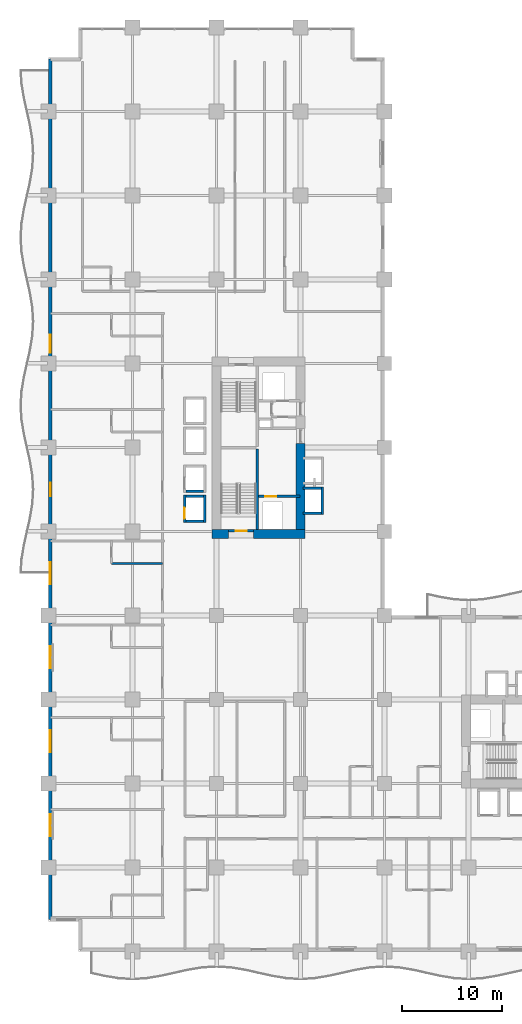
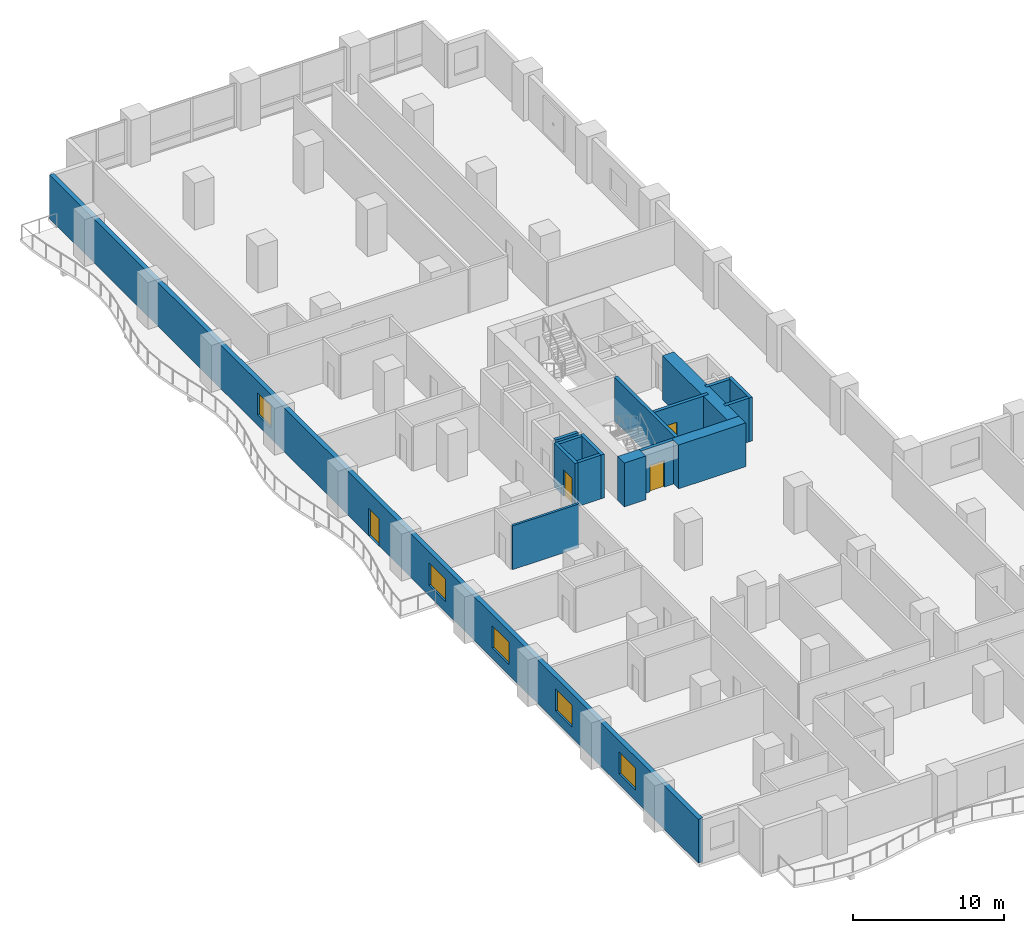
# One storey, part 12 of 24: 16 walls, 5 windows, 4 doors, 9 openings.
"""IFC4 building model written with IfcOpenShell, lengths in metres."""

from ifc_helpers import new_model, si_unit, direction, frame, frame_2d, origin, place, context, subcontext, project, spatial, rectangle, extrude, material, layer, layer_set, type_object, element, fill, save


model = new_model("IFC4")

# Units and contexts
model_context = context("Model", 3, precision=1e-05, world=origin(), true_north=direction((0.0, 1.0)))
body_context = subcontext(model_context, "Body", "Model", "MODEL_VIEW")
ifc_project = project(units=[si_unit("LENGTHUNIT", "METRE"), si_unit("AREAUNIT", "SQUARE_METRE"), si_unit("VOLUMEUNIT", "CUBIC_METRE"), si_unit("PLANEANGLEUNIT", "RADIAN"), si_unit("MASSUNIT", "GRAM", prefix="KILO")], contexts=[model_context])

# Site, building, storey
site_placement = place(None, origin())
site = spatial("IfcSite", under=ifc_project, at=site_placement, CompositionType="ELEMENT")
building_placement = place(site_placement, origin())
building = spatial("IfcBuilding", under=site, at=building_placement, Name="Koriwani Terraces Tower", CompositionType="ELEMENT")
storey_placement = place(building_placement, frame((0.0, 0.0, 47.199951171875)))
storey = spatial("IfcBuildingStorey", under=building, at=storey_placement, Name="L10", CompositionType="ELEMENT", Elevation=47.199951171875)

# Walls
ifc_material_1 = material(Name="Concrete C60/75", Category="concrete")
ifc_layer_1 = layer(ifc_material_1, 0.89990234375, Name="Concrete C60/75")
ifc_layer_set_1 = layer_set([ifc_layer_1], Name="Concrete C60/75")
wall_type_1 = type_object("IfcWallType", Name="WALL_CORE_RC_900", PredefinedType="SHEAR", material=ifc_layer_set_1)
wall_1_placement = place(storey_placement, frame((16.35009765625, 41.75, 0.0), z_axis=(0.0, 0.0, 1.0), x_axis=(1.0, 0.0, 0.0)))
element("IfcWall", 1, at=wall_1_placement, inside=storey, type_object=wall_type_1, Name="L10 West Split Core Shear Wall S1", PredefinedType="SHEAR", context=body_context, shape_type="SweptSolid", body=[
    extrude(rectangle(XDim=1.64990234375, YDim=0.89990234375, at=frame_2d((0.824951171875, 0.0))), origin(), (0.0, 0.0, 1.0), 3.550048828125),
])
wall_2_placement = place(storey_placement, frame((20.5, 41.75, 0.0), z_axis=(0.0, 0.0, 1.0), x_axis=(1.0, 0.0, 0.0)))
element("IfcWall", 2, at=wall_2_placement, inside=storey, type_object=wall_type_1, Name="L10 West Split Core Shear Wall S2", PredefinedType="SHEAR", context=body_context, shape_type="SweptSolid", body=[
    extrude(rectangle(XDim=5.14990234375, YDim=0.89990234375, at=frame_2d((2.574951171875, 0.0))), origin(), (0.0, 0.0, 1.0), 3.550048828125),
])
wall_3_placement = place(storey_placement, frame((25.199951171875, 42.199951171875, 0.0), z_axis=(0.0, 0.0, 1.0), x_axis=(0.0, 1.0, 0.0)))
element("IfcWall", 3, at=wall_3_placement, inside=storey, type_object=wall_type_1, Name="L10 West Split Core Shear Wall E1", PredefinedType="SHEAR", context=body_context, shape_type="SweptSolid", body=[
    extrude(rectangle(XDim=8.60009765625, YDim=0.89990234375, at=frame_2d((4.300048828125, 0.0))), origin(), (0.0, 0.0, 1.0), 3.550048828125),
])

# Wall, openings, door, windows
ifc_material_2 = material(Name="Concrete C50/60", Category="concrete")
ifc_layer_2 = layer(ifc_material_2, 0.35009765625, Name="Concrete C50/60")
ifc_layer_set_2 = layer_set([ifc_layer_2], Name="Concrete C50/60")
wall_type_2 = type_object("IfcWallType", Name="WALL_EXT_BRUTALIST_350", PredefinedType="STANDARD", material=ifc_layer_set_2)
wall_4_placement = place(storey_placement, frame((0.175048828125, 3.175048828125, 0.0), z_axis=(0.0, 0.0, 1.0), x_axis=(0.0, 1.0, 0.0)))
wall_4 = element("IfcWall", 4, at=wall_4_placement, inside=storey, type_object=wall_type_2, Name="L10 Fair-Faced Brutalist Exterior Wall (W)", PredefinedType="STANDARD", context=body_context, shape_type="SweptSolid", body=[
    extrude(rectangle(XDim=86.050048828125, YDim=0.35009765625, at=frame_2d((43.02490234375, 0.0))), origin(), (0.0, 0.0, 1.0), 3.550048828125),
])
opening_1_placement = place(wall_4_placement, frame((42.324951171875, 0.0, 0.0)))
opening_1 = element("IfcOpeningElement", 5, at=opening_1_placement, cuts=wall_4, Name="Opening D-09", PredefinedType="OPENING", context=body_context, shape_type="SweptSolid", body=[
    extrude(rectangle(XDim=1.39990234375, YDim=2.199951171875, at=frame_2d((0.699951171875, 1.10009765625))), frame((0.0, 0.18505859375, 0.0), z_axis=(0.0, -1.0, 0.0), x_axis=(1.0, 0.0, 0.0)), (0.0, 0.0, 1.0), 0.3701171875),
])
opening_2_placement = place(wall_4_placement, frame((8.324951171875, 0.0, 0.85009765625)))
opening_2 = element("IfcOpeningElement", 6, at=opening_2_placement, cuts=wall_4, Name="Opening W-01", PredefinedType="OPENING", context=body_context, shape_type="SweptSolid", body=[
    extrude(rectangle(XDim=2.199951171875, YDim=1.800048828125, at=frame_2d((1.10009765625, 0.89990234375))), frame((0.0, 0.18505859375, 0.0), z_axis=(0.0, -1.0, 0.0), x_axis=(1.0, 0.0, 0.0)), (0.0, 0.0, 1.0), 0.3701171875),
])
opening_3_placement = place(wall_4_placement, frame((16.72509765625, 0.0, 0.85009765625)))
opening_3 = element("IfcOpeningElement", 7, at=opening_3_placement, cuts=wall_4, Name="Opening W-01", PredefinedType="OPENING", context=body_context, shape_type="SweptSolid", body=[
    extrude(rectangle(XDim=2.199951171875, YDim=1.800048828125, at=frame_2d((1.10009765625, 0.89990234375))), frame((0.0, 0.18505859375, 0.0), z_axis=(0.0, -1.0, 0.0), x_axis=(1.0, 0.0, 0.0)), (0.0, 0.0, 1.0), 0.3701171875),
])
opening_4_placement = place(wall_4_placement, frame((25.125, 0.0, 0.85009765625)))
opening_4 = element("IfcOpeningElement", 8, at=opening_4_placement, cuts=wall_4, Name="Opening W-01", PredefinedType="OPENING", context=body_context, shape_type="SweptSolid", body=[
    extrude(rectangle(XDim=2.199951171875, YDim=1.800048828125, at=frame_2d((1.10009765625, 0.89990234375))), frame((0.0, 0.18505859375, 0.0), z_axis=(0.0, -1.0, 0.0), x_axis=(1.0, 0.0, 0.0)), (0.0, 0.0, 1.0), 0.3701171875),
])
opening_5_placement = place(wall_4_placement, frame((33.52490234375, 0.0, 0.85009765625)))
opening_5 = element("IfcOpeningElement", 9, at=opening_5_placement, cuts=wall_4, Name="Opening W-01", PredefinedType="OPENING", context=body_context, shape_type="SweptSolid", body=[
    extrude(rectangle(XDim=2.199951171875, YDim=1.800048828125, at=frame_2d((1.10009765625, 0.89990234375))), frame((0.0, 0.18505859375, 0.0), z_axis=(0.0, -1.0, 0.0), x_axis=(1.0, 0.0, 0.0)), (0.0, 0.0, 1.0), 0.3701171875),
])
opening_6_placement = place(wall_4_placement, frame((56.675048828125, 0.0, 0.85009765625)))
opening_6 = element("IfcOpeningElement", 10, at=opening_6_placement, cuts=wall_4, Name="Opening W-04", PredefinedType="OPENING", context=body_context, shape_type="SweptSolid", body=[
    extrude(rectangle(XDim=1.800048828125, YDim=1.800048828125, at=frame_2d((0.89990234375, 0.89990234375))), frame((0.0, 0.18505859375, 0.0), z_axis=(0.0, -1.0, 0.0), x_axis=(1.0, 0.0, 0.0)), (0.0, 0.0, 1.0), 0.3701171875),
])
ifc_material_3 = material(Name="Anodised Bronze Aluminium", Category="aluminium")
door_type_1 = type_object("IfcDoorType", Name="DOOR_BALCONY_GLAZED_1400X2200", OperationType="NOTDEFINED", PredefinedType="DOOR", material=ifc_material_3)
door_1_placement = place(opening_1_placement, origin())
door_1 = element("IfcDoor", 11, at=door_1_placement, inside=storey, type_object=door_type_1, Name="L10 West Balcony Glazed Door", OperationType="SINGLE_SWING_LEFT", OverallHeight=2.199951171875, OverallWidth=1.39990234375, PredefinedType="DOOR", context=body_context, shape_type="SweptSolid", body=[
    extrude(rectangle(XDim=1.39990234375, YDim=2.199951171875, at=frame_2d((0.699951171875, 1.10009765625))), frame((0.0, 0.02490234375, 0.0), z_axis=(0.0, -1.0, 0.0), x_axis=(1.0, 0.0, 0.0)), (0.0, 0.0, 1.0), 0.050048828125),
])
fill(opening_1, door_1)
ifc_material_4 = material(Name="Tempered Laminated Low-E Glass", Category="glass")
window_type_1 = type_object("IfcWindowType", Name="WIN_HOTEL_STD_2200X1800", PartitioningType="DOUBLE_PANEL_VERTICAL", PredefinedType="WINDOW", material=ifc_material_4)
window_1_placement = place(opening_2_placement, origin())
window_1 = element("IfcWindow", 12, at=window_1_placement, inside=storey, type_object=window_type_1, Name="L10 Exterior Window (W-3)", OverallHeight=1.800048828125, OverallWidth=2.199951171875, PartitioningType="SINGLE_PANEL", PredefinedType="WINDOW", context=body_context, shape_type="SweptSolid", body=[
    extrude(rectangle(XDim=2.199951171875, YDim=1.800048828125, at=frame_2d((1.10009765625, 0.89990234375))), frame((0.0, 0.030029296875, 0.0), z_axis=(0.0, -1.0, 0.0), x_axis=(1.0, 0.0, 0.0)), (0.0, 0.0, 1.0), 0.06005859375),
])
fill(opening_2, window_1)
window_2_placement = place(opening_3_placement, origin())
window_2 = element("IfcWindow", 13, at=window_2_placement, inside=storey, type_object=window_type_1, Name="L10 Exterior Window (W-6)", OverallHeight=1.800048828125, OverallWidth=2.199951171875, PartitioningType="SINGLE_PANEL", PredefinedType="WINDOW", context=body_context, shape_type="SweptSolid", body=[
    extrude(rectangle(XDim=2.199951171875, YDim=1.800048828125, at=frame_2d((1.10009765625, 0.89990234375))), frame((0.0, 0.030029296875, 0.0), z_axis=(0.0, -1.0, 0.0), x_axis=(1.0, 0.0, 0.0)), (0.0, 0.0, 1.0), 0.06005859375),
])
fill(opening_3, window_2)
window_3_placement = place(opening_4_placement, origin())
window_3 = element("IfcWindow", 14, at=window_3_placement, inside=storey, type_object=window_type_1, Name="L10 Exterior Window (W-9)", OverallHeight=1.800048828125, OverallWidth=2.199951171875, PartitioningType="SINGLE_PANEL", PredefinedType="WINDOW", context=body_context, shape_type="SweptSolid", body=[
    extrude(rectangle(XDim=2.199951171875, YDim=1.800048828125, at=frame_2d((1.10009765625, 0.89990234375))), frame((0.0, 0.030029296875, 0.0), z_axis=(0.0, -1.0, 0.0), x_axis=(1.0, 0.0, 0.0)), (0.0, 0.0, 1.0), 0.06005859375),
])
fill(opening_4, window_3)
window_4_placement = place(opening_5_placement, origin())
window_4 = element("IfcWindow", 15, at=window_4_placement, inside=storey, type_object=window_type_1, Name="L10 Exterior Window (W-12)", OverallHeight=1.800048828125, OverallWidth=2.199951171875, PartitioningType="SINGLE_PANEL", PredefinedType="WINDOW", context=body_context, shape_type="SweptSolid", body=[
    extrude(rectangle(XDim=2.199951171875, YDim=1.800048828125, at=frame_2d((1.10009765625, 0.89990234375))), frame((0.0, 0.030029296875, 0.0), z_axis=(0.0, -1.0, 0.0), x_axis=(1.0, 0.0, 0.0)), (0.0, 0.0, 1.0), 0.06005859375),
])
fill(opening_5, window_4)
window_type_2 = type_object("IfcWindowType", Name="WIN_RES_BED_1800X1800", PartitioningType="DOUBLE_PANEL_VERTICAL", PredefinedType="WINDOW", material=ifc_material_4)
window_5_placement = place(opening_6_placement, origin())
window_5 = element("IfcWindow", 16, at=window_5_placement, inside=storey, type_object=window_type_2, Name="L10 Exterior Window (W-R47)", OverallHeight=1.800048828125, OverallWidth=1.800048828125, PartitioningType="SINGLE_PANEL", PredefinedType="WINDOW", context=body_context, shape_type="SweptSolid", body=[
    extrude(rectangle(XDim=1.800048828125, YDim=1.800048828125, at=frame_2d((0.89990234375, 0.89990234375))), frame((0.0, 0.030029296875, 0.0), z_axis=(0.0, -1.0, 0.0), x_axis=(1.0, 0.0, 0.0)), (0.0, 0.0, 1.0), 0.06005859375),
])
fill(opening_6, window_5)

# Walls
ifc_material_5 = material(Name="Fire-Rated Acoustic Gypsum Partition", Category="masonry")
ifc_layer_3 = layer(ifc_material_5, 0.179931640625, Name="Fire-Rated Acoustic Gypsum Partition")
ifc_layer_set_3 = layer_set([ifc_layer_3], Name="Fire-Rated Acoustic Gypsum Partition")
wall_type_3 = type_object("IfcWallType", Name="WALL_PLUMBING_180", PredefinedType="PLUMBINGWALL", material=ifc_layer_set_3)
wall_5_placement = place(storey_placement, frame((6.300048828125, 38.800048828125, 0.0), z_axis=(0.0, 0.0, 1.0), x_axis=(1.0, 0.0, 0.0)))
element("IfcWall", 17, at=wall_5_placement, inside=storey, type_object=wall_type_3, Name="L10 Interior Wall WBTH2-L10-NW-3", PredefinedType="PLUMBINGWALL", context=body_context, shape_type="SweptSolid", body=[
    extrude(rectangle(XDim=5.099853515625, YDim=0.179931640625, at=frame_2d((2.5498046875, 0.0))), origin(), (0.0, 0.0, 1.0), 3.550048828125),
])
ifc_material_6 = material(Name="Concrete C40/50", Category="concrete")
ifc_layer_4 = layer(ifc_material_6, 0.25, Name="Concrete C40/50")
ifc_layer_set_4 = layer_set([ifc_layer_4], Name="Concrete C40/50")
wall_type_4 = type_object("IfcWallType", Name="WALL_SHAFT_RATED_250", PredefinedType="SOLIDWALL", material=ifc_layer_set_4)
wall_6_placement = place(storey_placement, frame((20.875, 42.199951171875, 0.0), z_axis=(0.0, 0.0, 1.0), x_axis=(0.0, 1.0, 0.0)))
element("IfcWall", 18, at=wall_6_placement, inside=storey, type_object=wall_type_4, Name="L10 West Split Core Web Wall MID1", PredefinedType="SOLIDWALL", context=body_context, shape_type="SweptSolid", body=[
    extrude(rectangle(XDim=8.050048828125, YDim=0.25, at=frame_2d((4.02490234375, 0.0))), origin(), (0.0, 0.0, 1.0), 3.550048828125),
])

# Wall, opening, door
wall_7_placement = place(storey_placement, frame((18.0, 42.074951171875, 0.0), z_axis=(0.0, 0.0, 1.0), x_axis=(1.0, 0.0, 0.0)))
wall_7 = element("IfcWall", 19, at=wall_7_placement, inside=storey, type_object=wall_type_4, Name="L10 Interior Wall WIN-CW-L10-STS", PredefinedType="SOLIDWALL", context=body_context, shape_type="SweptSolid", body=[
    extrude(rectangle(XDim=2.5, YDim=0.25, at=frame_2d((1.25, 0.0))), origin(), (0.0, 0.0, 1.0), 3.550048828125),
])
opening_7_placement = place(wall_7_placement, frame((0.699951171875, 0.0, 0.0)))
opening_7 = element("IfcOpeningElement", 20, at=opening_7_placement, cuts=wall_7, Name="Opening D-03", PredefinedType="OPENING", context=body_context, shape_type="SweptSolid", body=[
    extrude(rectangle(XDim=1.10009765625, YDim=2.14990234375, at=frame_2d((0.550048828125, 1.074951171875))), frame((0.0, 0.135009765625, 0.0), z_axis=(0.0, -1.0, 0.0), x_axis=(1.0, 0.0, 0.0)), (0.0, 0.0, 1.0), 0.27001953125),
])
ifc_material_7 = material(Name="Steel ASTM A572 Grade 50", Category="steel")
door_type_2 = type_object("IfcDoorType", Name="DOOR_STAIR_FIRE_1100X2150", OperationType="NOTDEFINED", PredefinedType="DOOR", material=ifc_material_7)
door_2_placement = place(opening_7_placement, origin())
door_2 = element("IfcDoor", 21, at=door_2_placement, inside=storey, type_object=door_type_2, Name="L10 Exit Stair ST-W1 Door", OperationType="SINGLE_SWING_RIGHT", OverallHeight=2.14990234375, OverallWidth=1.10009765625, PredefinedType="DOOR", context=body_context, shape_type="SweptSolid", body=[
    extrude(rectangle(XDim=1.10009765625, YDim=2.14990234375, at=frame_2d((0.550048828125, 1.074951171875))), frame((0.0, 0.02490234375, 0.0), z_axis=(0.0, -1.0, 0.0), x_axis=(1.0, 0.0, 0.0)), (0.0, 0.0, 1.0), 0.050048828125),
])
fill(opening_7, door_2)

wall_8_placement = place(storey_placement, frame((21.0, 45.5, 0.0), z_axis=(0.0, 0.0, 1.0), x_axis=(1.0, 0.0, 0.0)))
wall_8 = element("IfcWall", 22, at=wall_8_placement, inside=storey, type_object=wall_type_4, Name="L10 Interior Wall WIN-CW-L10-FE", PredefinedType="SOLIDWALL", context=body_context, shape_type="SweptSolid", body=[
    extrude(rectangle(XDim=4.14990234375, YDim=0.25, at=frame_2d((2.074951171875, 0.0))), origin(), (0.0, 0.0, 1.0), 3.550048828125),
])
opening_8_placement = place(wall_8_placement, frame((0.64990234375, 0.0, 0.0)))
opening_8 = element("IfcOpeningElement", 23, at=opening_8_placement, cuts=wall_8, Name="Opening LD-01", PredefinedType="OPENING", context=body_context, shape_type="SweptSolid", body=[
    extrude(rectangle(XDim=1.10009765625, YDim=2.14990234375, at=frame_2d((0.550048828125, 1.074951171875))), frame((0.0, 0.135009765625, 0.0), z_axis=(0.0, -1.0, 0.0), x_axis=(1.0, 0.0, 0.0)), (0.0, 0.0, 1.0), 0.27001953125),
])
door_type_3 = type_object("IfcDoorType", Name="DOOR_LIFT_LANDING_1100X2200", OperationType="NOTDEFINED", PredefinedType="DOOR", material=ifc_material_7)
door_3_placement = place(opening_8_placement, origin())
door_3 = element("IfcDoor", 24, at=door_3_placement, inside=storey, type_object=door_type_3, Name="L10 Firefighting Lift FE-01 Landing Door", OperationType="SLIDING_TO_LEFT", OverallHeight=2.14990234375, OverallWidth=1.10009765625, PredefinedType="DOOR", context=body_context, shape_type="SweptSolid", body=[
    extrude(rectangle(XDim=1.10009765625, YDim=2.14990234375, at=frame_2d((0.550048828125, 1.074951171875))), frame((0.0, 0.02490234375, 0.0), z_axis=(0.0, -1.0, 0.0), x_axis=(1.0, 0.0, 0.0)), (0.0, 0.0, 1.0), 0.050048828125),
])
fill(opening_8, door_3)

wall_9_placement = place(storey_placement, frame((13.60009765625, 42.875, 0.0), z_axis=(0.0, 0.0, 1.0), x_axis=(0.0, 1.0, 0.0)))
wall_9 = element("IfcWall", 25, at=wall_9_placement, inside=storey, type_object=wall_type_4, Name="L10 Interior Wall WIN-LF-PE-L1-L10-F", PredefinedType="SOLIDWALL", context=body_context, shape_type="SweptSolid", body=[
    extrude(rectangle(XDim=2.75, YDim=0.25, at=frame_2d((1.375, 0.0))), origin(), (0.0, 0.0, 1.0), 3.550048828125),
])
opening_9_placement = place(wall_9_placement, frame((0.39990234375, 0.0, 0.0)))
opening_9 = element("IfcOpeningElement", 26, at=opening_9_placement, cuts=wall_9, Name="Opening LD-01", PredefinedType="OPENING", context=body_context, shape_type="SweptSolid", body=[
    extrude(rectangle(XDim=1.10009765625, YDim=2.14990234375, at=frame_2d((0.550048828125, 1.074951171875))), frame((0.0, 0.135009765625, 0.0), z_axis=(0.0, -1.0, 0.0), x_axis=(1.0, 0.0, 0.0)), (0.0, 0.0, 1.0), 0.27001953125),
])
door_4_placement = place(opening_9_placement, origin())
door_4 = element("IfcDoor", 27, at=door_4_placement, inside=storey, type_object=door_type_3, Name="L10 Passenger Lift PE-L1 Landing Door", OperationType="SLIDING_TO_LEFT", OverallHeight=2.14990234375, OverallWidth=1.10009765625, PredefinedType="DOOR", context=body_context, shape_type="SweptSolid", body=[
    extrude(rectangle(XDim=1.10009765625, YDim=2.14990234375, at=frame_2d((0.550048828125, 1.074951171875))), frame((0.0, 0.02490234375, 0.0), z_axis=(0.0, -1.0, 0.0), x_axis=(1.0, 0.0, 0.0)), (0.0, 0.0, 1.0), 0.050048828125),
])
fill(opening_9, door_4)

# Walls
wall_10_placement = place(storey_placement, frame((15.60009765625, 42.875, 0.0), z_axis=(0.0, 0.0, 1.0), x_axis=(0.0, 1.0, 0.0)))
element("IfcWall", 28, at=wall_10_placement, inside=storey, type_object=wall_type_4, Name="L10 Interior Wall WIN-LF-PE-L1-L10-B", PredefinedType="SOLIDWALL", context=body_context, shape_type="SweptSolid", body=[
    extrude(rectangle(XDim=2.75, YDim=0.25, at=frame_2d((1.375, 0.0))), origin(), (0.0, 0.0, 1.0), 3.550048828125),
])
for number, where, z_axis, x_axis, name in (
    (29, (13.72509765625, 43.0, 0.0), (0.0, 0.0, 1.0), (1.0, 0.0, 0.0), "L10 Interior Wall WIN-LF-PE-L1-L10-S"),
    (30, (13.72509765625, 45.5, 0.0), (0.0, 0.0, 1.0), (1.0, 0.0, 0.0), "L10 Interior Wall WIN-LF-PE-L1-L10-N"),
    (31, (13.72509765625, 46.0, 0.0), (0.0, 0.0, 1.0), (1.0, 0.0, 0.0), "L10 Interior Wall WIN-LF-PE-L2-L10-S"),
):
    element("IfcWall", number, at=place(storey_placement, frame(where, z_axis=z_axis, x_axis=x_axis)), inside=storey, type_object=wall_type_4, Name=name, PredefinedType="SOLIDWALL", context=body_context, shape_type="SweptSolid", body=[
        extrude(rectangle(XDim=1.75, YDim=0.25, at=frame_2d((0.875, 0.0))), origin(), (0.0, 0.0, 1.0), 3.550048828125),
    ])
wall_11_placement = place(storey_placement, frame((27.39990234375, 43.675048828125, 0.0), z_axis=(0.0, 0.0, 1.0), x_axis=(0.0, 1.0, 0.0)))
element("IfcWall", 32, at=wall_11_placement, inside=storey, type_object=wall_type_4, Name="L10 Interior Wall WIN-LF-PE-H1-L10-F", PredefinedType="SOLIDWALL", context=body_context, shape_type="SweptSolid", body=[
    extrude(rectangle(XDim=2.75, YDim=0.25, at=frame_2d((1.375, 0.0))), origin(), (0.0, 0.0, 1.0), 3.550048828125),
])
for number, where, z_axis, x_axis, name in (
    (33, (25.449951171875, 43.800048828125, 0.0), (0.0, 0.0, 1.0), (1.0, 0.0, 0.0), "L10 Interior Wall WIN-LF-PE-H1-L10-S"),
    (34, (25.449951171875, 46.300048828125, 0.0), (0.0, 0.0, 1.0), (1.0, 0.0, 0.0), "L10 Interior Wall WIN-LF-PE-H1-L10-N"),
):
    element("IfcWall", number, at=place(storey_placement, frame(where, z_axis=z_axis, x_axis=x_axis)), inside=storey, type_object=wall_type_4, Name=name, PredefinedType="SOLIDWALL", context=body_context, shape_type="SweptSolid", body=[
        extrude(rectangle(XDim=1.824951171875, YDim=0.25, at=frame_2d((0.91259765625, 0.0))), origin(), (0.0, 0.0, 1.0), 3.550048828125),
    ])

save(model, "model.ifc")
